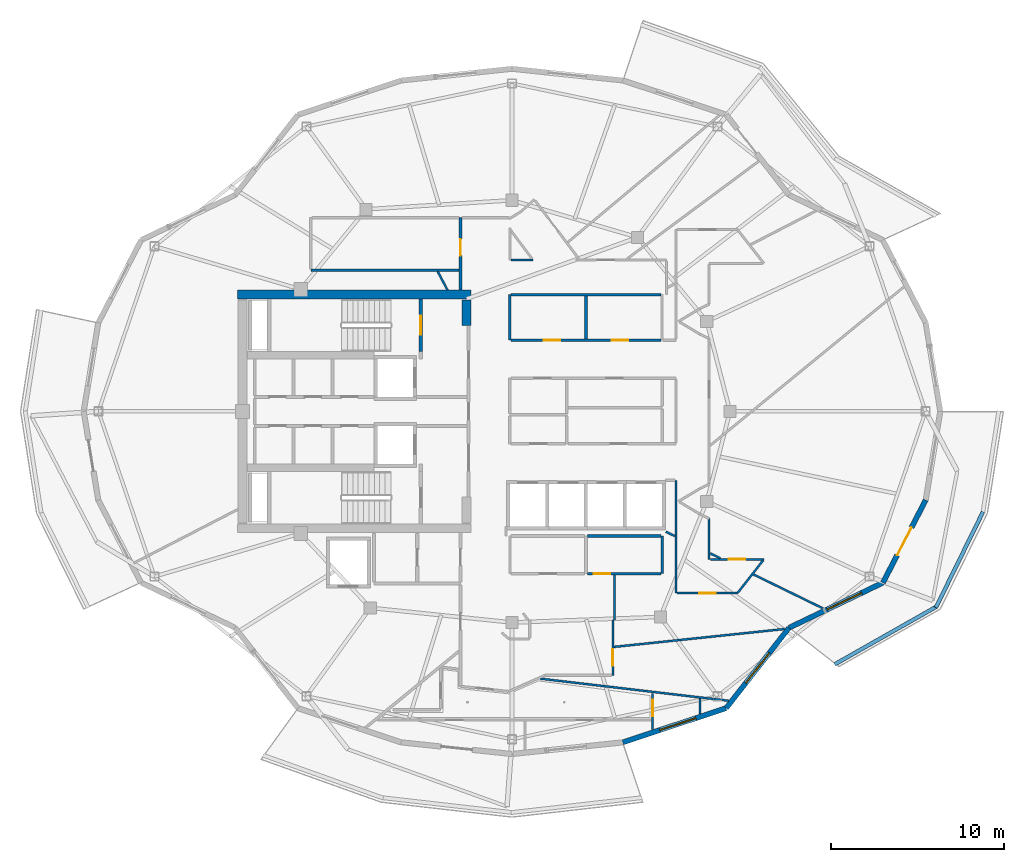
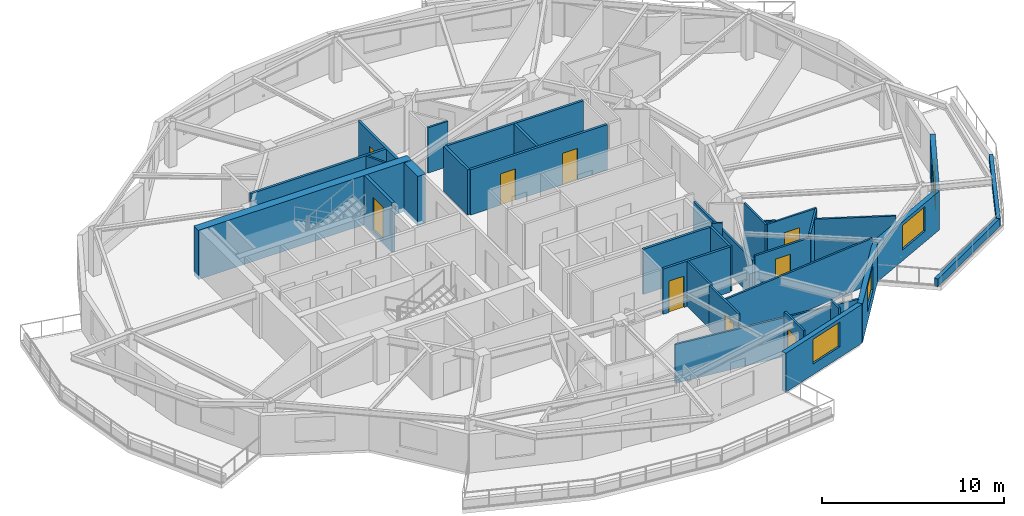
# One storey, part 5 of 14: 34 walls, 10 doors, 3 windows, 13 openings.
"""IFC4 building model written with IfcOpenShell, lengths in metres."""

from ifc_helpers import new_model, si_unit, direction, frame, frame_2d, origin, place, context, subcontext, project, spatial, rectangle, extrude, material, layer, layer_set, type_object, element, fill, save


model = new_model("IFC4")

# Units and contexts
model_context = context("Model", 3, precision=1e-05, world=origin(), true_north=direction((0.0, 1.0)))
body_context = subcontext(model_context, "Body", "Model", "MODEL_VIEW")
ifc_project = project(units=[si_unit("LENGTHUNIT", "METRE"), si_unit("AREAUNIT", "SQUARE_METRE"), si_unit("VOLUMEUNIT", "CUBIC_METRE"), si_unit("PLANEANGLEUNIT", "RADIAN"), si_unit("MASSUNIT", "GRAM", prefix="KILO")], contexts=[model_context])

# Site, building, storey
site_placement = place(None, origin())
site = spatial("IfcSite", under=ifc_project, at=site_placement, CompositionType="ELEMENT")
building_placement = place(site_placement, origin())
building = spatial("IfcBuilding", under=site, at=building_placement, Name="Kolvaren Gate Tower and Convention Centre", CompositionType="ELEMENT")
storey_placement = place(building_placement, frame((0.0, 0.0, 216.199951171875)))
storey = spatial("IfcBuildingStorey", under=building, at=storey_placement, Name="L57", CompositionType="ELEMENT", Elevation=216.199951171875)

# Walls
ifc_material_1 = material(Name="Fire-Rated Acoustic Gypsum Stud Partition", Category="gypsum")
ifc_layer_1 = layer(ifc_material_1, 0.1201171875)
ifc_layer_set_1 = layer_set([ifc_layer_1], Name="Fire-Rated Acoustic Gypsum Stud Partition")
wall_type_1 = type_object("IfcWallType", Name="ARCH-WL-PART-120", PredefinedType="PARTITIONING", material=ifc_layer_set_1)
wall_1_placement = place(storey_placement, frame((30.06201171875, 35.75, 0.0), z_axis=(0.0, 0.0, 1.0), x_axis=(1.0, 0.0, 0.0)))
element("IfcWall", 1, at=wall_1_placement, inside=storey, type_object=wall_type_1, Name="Interior Partition WL-L57-INT-040", PredefinedType="PARTITIONING", context=body_context, shape_type="SweptSolid", body=[
    extrude(rectangle(XDim=1.27490234375, YDim=0.1201171875, at=frame_2d((0.637451171875, 0.0))), origin(), (0.0, 0.0, 1.0), 3.030029296875),
])
wall_2_placement = place(storey_placement, frame((39.60009765625, 16.5, 0.0), z_axis=(0.0, 0.0, 1.0), x_axis=(0.0, 1.0, 0.0)))
element("IfcWall", 2, at=wall_2_placement, inside=storey, type_object=wall_type_1, Name="Interior Partition WL-L57-INT-043", PredefinedType="PARTITIONING", context=body_context, shape_type="SweptSolid", body=[
    extrude(rectangle(XDim=6.52001953125, YDim=0.1201171875, at=frame_2d((3.260009765625, 0.0))), origin(), (0.0, 0.0, 1.0), 2.47802734375),
])
wall_3_placement = place(storey_placement, frame((41.52001953125, 18.449951171875, 0.0), z_axis=(0.0, 0.0, 1.0), x_axis=(0.0, 1.0, 0.0)))
element("IfcWall", 3, at=wall_3_placement, inside=storey, type_object=wall_type_1, Name="Interior Partition WL-L57-INT-049", PredefinedType="PARTITIONING", context=body_context, shape_type="SweptSolid", body=[
    extrude(rectangle(XDim=2.35693359375, YDim=0.1201171875, at=frame_2d((1.178466796875, 0.0))), origin(), (0.0, 0.0, 1.0), 3.030029296875),
])

# Wall, opening, door
wall_4_placement = place(storey_placement, frame((41.58203125, 18.449951171875, 0.0), z_axis=(0.0, 0.0, 1.0), x_axis=(1.0, 0.0, 0.0)))
wall_4 = element("IfcWall", 4, at=wall_4_placement, inside=storey, type_object=wall_type_1, Name="Interior Partition WL-L57-INT-060", PredefinedType="PARTITIONING", context=body_context, shape_type="SweptSolid", body=[
    extrude(rectangle(XDim=3.10205078125, YDim=0.1201171875, at=frame_2d((1.551025390625, 0.0))), origin(), (0.0, 0.0, 1.0), 3.030029296875),
])
opening_1_placement = place(wall_4_placement, frame((1.075927734375, 0.0, 0.0)))
opening_1 = element("IfcOpeningElement", 5, at=opening_1_placement, cuts=wall_4, Name="Opening DR-01", PredefinedType="OPENING", context=body_context, shape_type="SweptSolid", body=[
    extrude(rectangle(XDim=0.949951171875, YDim=2.10009765625, at=frame_2d((0.47509765625, 1.050048828125))), frame((0.0, 0.070068359375, 0.0), z_axis=(0.0, -1.0, 0.0), x_axis=(1.0, 0.0, 0.0)), (0.0, 0.0, 1.0), 0.14013671875),
])
ifc_material_2 = material(Name="Painted Architectural Steelwork ASTM A500 Grade C 345 MPa", Category="steel")
door_type_1 = type_object("IfcDoorType", Name="ARCH-DR-RISER-950", OperationType="SINGLE_SWING_RIGHT", PredefinedType="DOOR", material=ifc_material_2)
door_1_placement = place(opening_1_placement, origin())
door_1 = element("IfcDoor", 6, at=door_1_placement, inside=storey, type_object=door_type_1, Name="Resident Private Study and Home Office Door", OperationType="SINGLE_SWING_LEFT", OverallHeight=2.10009765625, OverallWidth=0.949951171875, PredefinedType="DOOR", context=body_context, shape_type="SweptSolid", body=[
    extrude(rectangle(XDim=0.949951171875, YDim=2.10009765625, at=frame_2d((0.47509765625, 1.050048828125))), frame((0.0, 0.02490234375, 0.0), z_axis=(0.0, -1.0, 0.0), x_axis=(1.0, 0.0, 0.0)), (0.0, 0.0, 1.0), 0.050048828125),
])
fill(opening_1, door_1)

# Wall
wall_5_placement = place(storey_placement, frame((43.156982421875, 16.5, 0.0), z_axis=(0.0, 0.0, 1.0), x_axis=(0.616566276607, 0.787303008092, 0.0)))
element("IfcWall", 7, at=wall_5_placement, inside=storey, type_object=wall_type_1, Name="Interior Partition WL-L57-INT-061", PredefinedType="PARTITIONING", context=body_context, shape_type="SweptSolid", body=[
    extrude(rectangle(XDim=2.39794921875, YDim=0.1201171875, at=frame_2d((1.198974609375, 0.0))), origin(), (0.0, 0.0, 1.0), 3.030029296875),
])

# Wall, opening, door
wall_6_placement = place(storey_placement, frame((39.662109375, 16.5, 0.0), z_axis=(0.0, 0.0, 1.0), x_axis=(1.0, 0.0, 0.0)))
wall_6 = element("IfcWall", 8, at=wall_6_placement, inside=storey, type_object=wall_type_1, Name="Interior Partition WL-L57-INT-062", PredefinedType="PARTITIONING", context=body_context, shape_type="SweptSolid", body=[
    extrude(rectangle(XDim=3.494873046875, YDim=0.1201171875, at=frame_2d((1.74755859375, 0.0))), origin(), (0.0, 0.0, 1.0), 2.77001953125),
])
opening_2_placement = place(wall_6_placement, frame((1.2724609375, 0.0, 0.0)))
opening_2 = element("IfcOpeningElement", 9, at=opening_2_placement, cuts=wall_6, Name="Opening DR-01", PredefinedType="OPENING", context=body_context, shape_type="SweptSolid", body=[
    extrude(rectangle(XDim=0.949951171875, YDim=2.10009765625, at=frame_2d((0.47509765625, 1.050048828125))), frame((0.0, 0.070068359375, 0.0), z_axis=(0.0, -1.0, 0.0), x_axis=(1.0, 0.0, 0.0)), (0.0, 0.0, 1.0), 0.14013671875),
])
door_2_placement = place(opening_2_placement, origin())
door_2 = element("IfcDoor", 10, at=door_2_placement, inside=storey, type_object=door_type_1, Name="Resident Quiet Study Office Door", OperationType="SINGLE_SWING_RIGHT", OverallHeight=2.10009765625, OverallWidth=0.949951171875, PredefinedType="DOOR", context=body_context, shape_type="SweptSolid", body=[
    extrude(rectangle(XDim=0.949951171875, YDim=2.10009765625, at=frame_2d((0.47509765625, 1.050048828125))), frame((0.0, 0.02490234375, 0.0), z_axis=(0.0, -1.0, 0.0), x_axis=(1.0, 0.0, 0.0)), (0.0, 0.0, 1.0), 0.050048828125),
])
fill(opening_2, door_2)

# Wall
wall_7_placement = place(storey_placement, frame((36.050048828125, 14.949951171875, 0.0), z_axis=(0.0, 0.0, 1.0), x_axis=(0.0, 1.0, 0.0)))
element("IfcWall", 11, at=wall_7_placement, inside=storey, type_object=wall_type_1, Name="Interior Partition WL-L57-INT-065", PredefinedType="PARTITIONING", context=body_context, shape_type="SweptSolid", body=[
    extrude(rectangle(XDim=2.593017578125, YDim=0.1201171875, at=frame_2d((1.29638671875, 0.0))), origin(), (0.0, 0.0, 1.0), 3.030029296875),
])

# Wall, opening, door
wall_8_placement = place(storey_placement, frame((35.949951171875, 11.75, 0.0), z_axis=(0.0, 0.0, 1.0), x_axis=(0.0, 1.0, 0.0)))
wall_8 = element("IfcWall", 12, at=wall_8_placement, inside=storey, type_object=wall_type_1, Name="Interior Partition WL-L57-INT-066", PredefinedType="PARTITIONING", context=body_context, shape_type="SweptSolid", body=[
    extrude(rectangle(XDim=3.199951171875, YDim=0.1201171875, at=frame_2d((1.60009765625, 0.0))), origin(), (0.0, 0.0, 1.0), 3.030029296875),
])
opening_3_placement = place(wall_8_placement, frame((0.546630859375, 0.0, 0.0)))
opening_3 = element("IfcOpeningElement", 13, at=opening_3_placement, cuts=wall_8, Name="Opening DR-01", PredefinedType="OPENING", context=body_context, shape_type="SweptSolid", body=[
    extrude(rectangle(XDim=0.949951171875, YDim=2.10009765625, at=frame_2d((0.47509765625, 1.050048828125))), frame((0.0, 0.070068359375, 0.0), z_axis=(0.0, -1.0, 0.0), x_axis=(1.0, 0.0, 0.0)), (0.0, 0.0, 1.0), 0.14013671875),
])
door_3_placement = place(opening_3_placement, origin())
door_3 = element("IfcDoor", 14, at=door_3_placement, inside=storey, type_object=door_type_1, Name="Resident Private Workroom Door", OperationType="SINGLE_SWING_LEFT", OverallHeight=2.10009765625, OverallWidth=0.949951171875, PredefinedType="DOOR", context=body_context, shape_type="SweptSolid", body=[
    extrude(rectangle(XDim=0.949951171875, YDim=2.10009765625, at=frame_2d((0.47509765625, 1.050048828125))), frame((0.0, 0.02490234375, 0.0), z_axis=(0.0, -1.0, 0.0), x_axis=(1.0, 0.0, 0.0)), (0.0, 0.0, 1.0), 0.050048828125),
])
fill(opening_3, door_3)

# Wall
wall_9_placement = place(storey_placement, frame((31.747802734375, 11.55615234375, 0.0), z_axis=(0.0, 0.0, 1.0), x_axis=(0.993180507835, -0.116586786801, 0.0)))
element("IfcWall", 15, at=wall_9_placement, inside=storey, type_object=wall_type_1, Name="Interior Partition WL-L57-INT-083", PredefinedType="PARTITIONING", context=body_context, shape_type="SweptSolid", body=[
    extrude(rectangle(XDim=10.966552734375, YDim=0.1201171875, at=frame_2d((5.4833984375, 0.0))), origin(), (0.0, 0.0, 1.0), 2.60498046875),
])

# Wall, opening, door
wall_10_placement = place(storey_placement, frame((38.25, 8.6044921875, 0.0), z_axis=(0.0, 0.0, 1.0), x_axis=(0.0, 1.0, 0.0)))
wall_10 = element("IfcWall", 16, at=wall_10_placement, inside=storey, type_object=wall_type_1, Name="Interior Partition WL-L57-INT-084", PredefinedType="PARTITIONING", context=body_context, shape_type="SweptSolid", body=[
    extrude(rectangle(XDim=2.095458984375, YDim=0.1201171875, at=frame_2d((1.0478515625, 0.0))), origin(), (0.0, 0.0, 1.0), 3.030029296875),
])
opening_4_placement = place(wall_10_placement, frame((0.78759765625, 0.0, 0.0)))
opening_4 = element("IfcOpeningElement", 17, at=opening_4_placement, cuts=wall_10, Name="Opening DI-01", PredefinedType="OPENING", context=body_context, shape_type="SweptSolid", body=[
    extrude(rectangle(XDim=0.949951171875, YDim=2.10009765625, at=frame_2d((0.47509765625, 1.050048828125))), frame((0.0, 0.070068359375, 0.0), z_axis=(0.0, -1.0, 0.0), x_axis=(1.0, 0.0, 0.0)), (0.0, 0.0, 1.0), 0.14013671875),
])
ifc_material_3 = material(Name="FSC Andean Oak Engineered Veneer Door Leaf", Category="wood")
door_type_2 = type_object("IfcDoorType", Name="ARCH-DR-INT-950", OperationType="SINGLE_SWING_LEFT", PredefinedType="DOOR", material=ifc_material_3)
door_4_placement = place(opening_4_placement, origin())
door_4 = element("IfcDoor", 18, at=door_4_placement, inside=storey, type_object=door_type_2, Name="Apartment Fitted Kitchen (APT-L57-01) Door", OperationType="SINGLE_SWING_RIGHT", OverallHeight=2.10009765625, OverallWidth=0.949951171875, PredefinedType="DOOR", context=body_context, shape_type="SweptSolid", body=[
    extrude(rectangle(XDim=0.949951171875, YDim=2.10009765625, at=frame_2d((0.47509765625, 1.050048828125))), frame((0.0, 0.02490234375, 0.0), z_axis=(0.0, -1.0, 0.0), x_axis=(1.0, 0.0, 0.0)), (0.0, 0.0, 1.0), 0.050048828125),
])
fill(opening_4, door_4)

# Walls
wall_11_placement = place(storey_placement, frame((41.0, 9.515869140625, 0.0), z_axis=(0.0, 0.0, 1.0), x_axis=(0.0, 1.0, 0.0)))
element("IfcWall", 19, at=wall_11_placement, inside=storey, type_object=wall_type_1, Name="Interior Partition WL-L57-INT-086", PredefinedType="PARTITIONING", context=body_context, shape_type="SweptSolid", body=[
    extrude(rectangle(XDim=0.891845703125, YDim=0.1201171875, at=frame_2d((0.44580078125, 0.0))), origin(), (0.0, 0.0, 1.0), 3.030029296875),
])
wall_12_placement = place(storey_placement, frame((36.011962890625, 13.388427734375, 0.0), z_axis=(0.0, 0.0, 1.0), x_axis=(0.994530215, 0.104449276931, 0.0)))
element("IfcWall", 20, at=wall_12_placement, inside=storey, type_object=wall_type_1, Name="Interior Partition WL-L57-INT-088", PredefinedType="PARTITIONING", context=body_context, shape_type="SweptSolid", body=[
    extrude(rectangle(XDim=9.92919921875, YDim=0.1201171875, at=frame_2d((4.964599609375, 0.0))), origin(), (0.0, 0.0, 1.0), 3.030029296875),
])
wall_13_placement = place(storey_placement, frame((39.02001953125, 20.0439453125, 0.0), z_axis=(0.0, 0.0, 1.0), x_axis=(0.898788798226, -0.438381906769, 0.0)))
element("IfcWall", 21, at=wall_13_placement, inside=storey, type_object=wall_type_1, Name="Interior Partition WL-L57-INT-089", PredefinedType="PARTITIONING", context=body_context, shape_type="SweptSolid", body=[
    extrude(rectangle(XDim=0.576416015625, YDim=0.1201171875, at=frame_2d((0.2880859375, 0.0))), origin(), (0.0, 0.0, 1.0), 3.030029296875),
])
wall_14_placement = place(storey_placement, frame((41.58203125, 18.7939453125, 0.0), z_axis=(0.0, 0.0, 1.0), x_axis=(0.898713702737, -0.438535837204, 0.0)))
element("IfcWall", 22, at=wall_14_placement, inside=storey, type_object=wall_type_1, Name="Interior Partition WL-L57-INT-090", PredefinedType="PARTITIONING", context=body_context, shape_type="SweptSolid", body=[
    extrude(rectangle(XDim=0.64306640625, YDim=0.1201171875, at=frame_2d((0.321533203125, 0.0))), origin(), (0.0, 0.0, 1.0), 3.030029296875),
])
wall_15_placement = place(storey_placement, frame((44.078369140625, 17.575927734375, 0.0), z_axis=(0.0, 0.0, 1.0), x_axis=(0.898720286075, -0.438522345381, 0.0)))
element("IfcWall", 23, at=wall_15_placement, inside=storey, type_object=wall_type_1, Name="Interior Partition WL-L57-INT-091", PredefinedType="PARTITIONING", context=body_context, shape_type="SweptSolid", body=[
    extrude(rectangle(XDim=4.48291015625, YDim=0.1201171875, at=frame_2d((2.241455078125, 0.0))), origin(), (0.0, 0.0, 1.0), 3.030029296875),
])
wall_16_placement = place(storey_placement, frame((25.830810546875, 35.0830078125, 0.0), z_axis=(0.0, 0.0, 1.0), x_axis=(0.468630025993, -0.883394531757, 0.0)))
element("IfcWall", 24, at=wall_16_placement, inside=storey, type_object=wall_type_1, Name="Interior Partition WL-L57-INT-094", PredefinedType="PARTITIONING", context=body_context, shape_type="SweptSolid", body=[
    extrude(rectangle(XDim=1.2236328125, YDim=0.1201171875, at=frame_2d((0.61181640625, 0.0))), origin(), (0.0, 0.0, 1.0), 3.030029296875),
])
ifc_material_4 = material(Name="Piedmont Cream Honed Limestone Cladding", Category="masonry")
ifc_layer_2 = layer(ifc_material_4, 0.219970703125)
ifc_layer_set_2 = layer_set([ifc_layer_2], Name="Piedmont Cream Honed Limestone Cladding")
wall_type_2 = type_object("IfcWallType", Name="ARCH-WL-PLANTER-220", PredefinedType="PARAPET", material=ifc_layer_set_2)
wall_17_placement = place(storey_placement, frame((48.7763671875, 12.38330078125, 0.0), z_axis=(0.0, 0.0, 1.0), x_axis=(0.869860619267, 0.493297580623, 0.0)))
element("IfcWall", 25, at=wall_17_placement, inside=storey, type_object=wall_type_2, Name="Vertical-Forest Balcony Stone Planter Kerb PK-L57-4.1", PredefinedType="PARAPET", context=body_context, shape_type="SweptSolid", body=[
    extrude(rectangle(XDim=6.74267578125, YDim=0.219970703125, at=frame_2d((3.371337890625, 0.0))), origin(), (0.0, 0.0, 1.0), 0.52001953125),
])
wall_18_placement = place(storey_placement, frame((54.615966796875, 15.6533203125, 0.0), z_axis=(0.0, 0.0, 1.0), x_axis=(0.441640961804, 0.897191875162, 0.0)))
element("IfcWall", 26, at=wall_18_placement, inside=storey, type_object=wall_type_2, Name="Vertical-Forest Balcony Stone Planter Kerb PK-L57-4.2", PredefinedType="PARAPET", context=body_context, shape_type="SweptSolid", body=[
    extrude(rectangle(XDim=6.17822265625, YDim=0.219970703125, at=frame_2d((3.089111328125, 0.0))), origin(), (0.0, 0.0, 1.0), 0.52001953125),
])

# Wall, opening, window
ifc_layer_3 = layer(ifc_material_4, 0.300048828125)
ifc_layer_set_3 = layer_set([ifc_layer_3], Name="Piedmont Cream Honed Limestone Cladding")
wall_type_3 = type_object("IfcWallType", Name="ARCH-WL-STONE-300", PredefinedType="SOLIDWALL", material=ifc_layer_set_3)
wall_19_placement = place(storey_placement, frame((36.53076171875, 7.874755859375, 0.0), z_axis=(0.0, 0.0, 1.0), x_axis=(0.949240877604, 0.314550085495, 0.0)))
wall_19 = element("IfcWall", 27, at=wall_19_placement, inside=storey, type_object=wall_type_3, Name="Tower L57 Honed Stone Spandrel Wall EW-19", PredefinedType="SOLIDWALL", context=body_context, shape_type="SweptSolid", body=[
    extrude(rectangle(XDim=6.288330078125, YDim=0.300048828125, at=frame_2d((3.14404296875, 0.0))), origin(), (0.0, 0.0, 1.0), 2.60498046875),
])
opening_5_placement = place(wall_19_placement, frame((2.25, 0.0, 0.719970703125)))
opening_5 = element("IfcOpeningElement", 28, at=opening_5_placement, cuts=wall_19, Name="Opening W-03", PredefinedType="OPENING", context=body_context, shape_type="SweptSolid", body=[
    extrude(rectangle(XDim=2.199951171875, YDim=1.64990234375, at=frame_2d((1.10009765625, 0.824951171875))), frame((0.0, 0.159912109375, 0.0), z_axis=(0.0, -1.0, 0.0), x_axis=(1.0, 0.0, 0.0)), (0.0, 0.0, 1.0), 0.320068359375),
])
ifc_material_5 = material(Name="Low-E Triple Insulated Glazing Unit 44 mm", Category="glass")
window_type = type_object("IfcWindowType", Name="ARCH-WN-RES-2200", PartitioningType="SINGLE_PANEL", PredefinedType="WINDOW", material=ifc_material_5)
window_1_placement = place(opening_5_placement, origin())
window_1 = element("IfcWindow", 29, at=window_1_placement, inside=storey, type_object=window_type, Name="Tower L57 Punched Stone Facade Window W-19", OverallHeight=1.64990234375, OverallWidth=2.199951171875, PartitioningType="SINGLE_PANEL", PredefinedType="WINDOW", context=body_context, shape_type="SweptSolid", body=[
    extrude(rectangle(XDim=2.199951171875, YDim=1.64990234375, at=frame_2d((1.10009765625, 0.824951171875))), frame((0.0, 0.030029296875, 0.0), z_axis=(0.0, -1.0, 0.0), x_axis=(1.0, 0.0, 0.0)), (0.0, 0.0, 1.0), 0.06005859375),
])
fill(opening_5, window_1)

wall_20_placement = place(storey_placement, frame((42.5, 9.852783203125, 0.0), z_axis=(0.0, 0.0, 1.0), x_axis=(0.616450126935, 0.787393955401, 0.0)))
wall_20 = element("IfcWall", 30, at=wall_20_placement, inside=storey, type_object=wall_type_3, Name="Tower L57 Honed Stone Spandrel Wall EW-20", PredefinedType="SOLIDWALL", context=body_context, shape_type="SweptSolid", body=[
    extrude(rectangle(XDim=5.892822265625, YDim=0.300048828125, at=frame_2d((2.9462890625, 0.0))), origin(), (0.0, 0.0, 1.0), 2.60498046875),
])
opening_6_placement = place(wall_20_placement, frame((1.845947265625, 0.0, 0.719970703125)))
opening_6 = element("IfcOpeningElement", 31, at=opening_6_placement, cuts=wall_20, Name="Opening W-03", PredefinedType="OPENING", context=body_context, shape_type="SweptSolid", body=[
    extrude(rectangle(XDim=2.199951171875, YDim=1.64990234375, at=frame_2d((1.10009765625, 0.824951171875))), frame((0.0, 0.159912109375, 0.0), z_axis=(0.0, -1.0, 0.0), x_axis=(1.0, 0.0, 0.0)), (0.0, 0.0, 1.0), 0.320068359375),
])
window_2_placement = place(opening_6_placement, origin())
window_2 = element("IfcWindow", 32, at=window_2_placement, inside=storey, type_object=window_type, Name="Tower L57 Punched Stone Facade Window W-20", OverallHeight=1.64990234375, OverallWidth=2.199951171875, PartitioningType="SINGLE_PANEL", PredefinedType="WINDOW", context=body_context, shape_type="SweptSolid", body=[
    extrude(rectangle(XDim=2.199951171875, YDim=1.64990234375, at=frame_2d((1.10009765625, 0.824951171875))), frame((0.0, 0.030029296875, 0.0), z_axis=(0.0, -1.0, 0.0), x_axis=(1.0, 0.0, 0.0)), (0.0, 0.0, 1.0), 0.06005859375),
])
fill(opening_6, window_2)

wall_21_placement = place(storey_placement, frame((46.132568359375, 14.49267578125, 0.0), z_axis=(0.0, 0.0, 1.0), x_axis=(0.901348331142, 0.433094892545, 0.0)))
wall_21 = element("IfcWall", 33, at=wall_21_placement, inside=storey, type_object=wall_type_3, Name="Tower L57 Honed Stone Spandrel Wall EW-21", PredefinedType="SOLIDWALL", context=body_context, shape_type="SweptSolid", body=[
    extrude(rectangle(XDim=6.0205078125, YDim=0.300048828125, at=frame_2d((3.01025390625, 0.0))), origin(), (0.0, 0.0, 1.0), 2.60498046875),
])
opening_7_placement = place(wall_21_placement, frame((2.449951171875, 0.0, 0.719970703125)))
opening_7 = element("IfcOpeningElement", 34, at=opening_7_placement, cuts=wall_21, Name="Opening W-03", PredefinedType="OPENING", context=body_context, shape_type="SweptSolid", body=[
    extrude(rectangle(XDim=2.199951171875, YDim=1.64990234375, at=frame_2d((1.10009765625, 0.824951171875))), frame((0.0, 0.159912109375, 0.0), z_axis=(0.0, -1.0, 0.0), x_axis=(1.0, 0.0, 0.0)), (0.0, 0.0, 1.0), 0.320068359375),
])
window_3_placement = place(opening_7_placement, origin())
window_3 = element("IfcWindow", 35, at=window_3_placement, inside=storey, type_object=window_type, Name="Tower L57 Punched Stone Facade Window W-21", OverallHeight=1.64990234375, OverallWidth=2.199951171875, PartitioningType="SINGLE_PANEL", PredefinedType="WINDOW", context=body_context, shape_type="SweptSolid", body=[
    extrude(rectangle(XDim=2.199951171875, YDim=1.64990234375, at=frame_2d((1.10009765625, 0.824951171875))), frame((0.0, 0.030029296875, 0.0), z_axis=(0.0, -1.0, 0.0), x_axis=(1.0, 0.0, 0.0)), (0.0, 0.0, 1.0), 0.06005859375),
])
fill(opening_7, window_3)

# Wall, opening, door
wall_22_placement = place(storey_placement, frame((51.55908203125, 17.10009765625, 0.0), z_axis=(0.0, 0.0, 1.0), x_axis=(0.459808219482, 0.888018243786, 0.0)))
wall_22 = element("IfcWall", 36, at=wall_22_placement, inside=storey, type_object=wall_type_3, Name="Tower L57 Honed Stone Spandrel Wall EW-22", PredefinedType="SOLIDWALL", context=body_context, shape_type="SweptSolid", body=[
    extrude(rectangle(XDim=5.377685546875, YDim=0.300048828125, at=frame_2d((2.68896484375, 0.0))), origin(), (0.0, 0.0, 1.0), 2.60498046875),
])
opening_8_placement = place(wall_22_placement, frame((1.7890625, 0.0, 0.0)))
opening_8 = element("IfcOpeningElement", 37, at=opening_8_placement, cuts=wall_22, Name="Opening DB-01", PredefinedType="OPENING", context=body_context, shape_type="SweptSolid", body=[
    extrude(rectangle(XDim=1.800048828125, YDim=2.25, at=frame_2d((0.89990234375, 1.125))), frame((0.0, 0.159912109375, 0.0), z_axis=(0.0, -1.0, 0.0), x_axis=(1.0, 0.0, 0.0)), (0.0, 0.0, 1.0), 0.320068359375),
])
ifc_material_6 = material(Name="Anodized Architectural Aluminium Alloy 6063-T6", Category="aluminium")
door_type_3 = type_object("IfcDoorType", Name="ARCH-DR-BALC-1800", OperationType="SLIDING_TO_LEFT", PredefinedType="DOOR", material=ifc_material_6)
door_5_placement = place(opening_8_placement, frame((1.800048828125, 0.0, 0.0), z_axis=(0.0, 0.0, 1.0), x_axis=(-1.0, 0.0, 0.0)))
door_5 = element("IfcDoor", 38, at=door_5_placement, inside=storey, type_object=door_type_3, Name="Planted Sky Terrace Access Door DB-L57-22", OperationType="SLIDING_TO_LEFT", OverallHeight=2.25, OverallWidth=1.800048828125, PredefinedType="DOOR", context=body_context, shape_type="SweptSolid", body=[
    extrude(rectangle(XDim=1.800048828125, YDim=2.25, at=frame_2d((0.89990234375, 1.125))), frame((0.0, 0.02490234375, 0.0), z_axis=(0.0, -1.0, 0.0), x_axis=(1.0, 0.0, 0.0)), (0.0, 0.0, 1.0), 0.050048828125),
])
fill(opening_8, door_5)

ifc_material_7 = material(Name="Moisture-Resistant Cement-Board Acoustic Partition", Category="gypsum")
ifc_layer_4 = layer(ifc_material_7, 0.14990234375)
ifc_layer_set_4 = layer_set([ifc_layer_4], Name="Moisture-Resistant Cement-Board Acoustic Partition")
wall_type_4 = type_object("IfcWallType", Name="ARCH-WL-WET-150", PredefinedType="PARTITIONING", material=ifc_layer_set_4)
wall_23_placement = place(storey_placement, frame((27.14990234375, 34.001953125, 0.0), z_axis=(0.0, 0.0, 1.0), x_axis=(0.0, 1.0, 0.0)))
wall_23 = element("IfcWall", 39, at=wall_23_placement, inside=storey, type_object=wall_type_4, Name="Interior Partition WL-L57-INT-015", PredefinedType="PARTITIONING", context=body_context, shape_type="SweptSolid", body=[
    extrude(rectangle(XDim=4.197998046875, YDim=0.14990234375, at=frame_2d((2.09912109375, 0.0))), origin(), (0.0, 0.0, 1.0), 3.030029296875),
])
opening_9_placement = place(wall_23_placement, frame((1.998046875, 0.0, 0.0)))
opening_9 = element("IfcOpeningElement", 40, at=opening_9_placement, cuts=wall_23, Name="Opening DR-01", PredefinedType="OPENING", context=body_context, shape_type="SweptSolid", body=[
    extrude(rectangle(XDim=0.949951171875, YDim=2.10009765625, at=frame_2d((0.47509765625, 1.050048828125))), frame((0.0, 0.0849609375, 0.0), z_axis=(0.0, -1.0, 0.0), x_axis=(1.0, 0.0, 0.0)), (0.0, 0.0, 1.0), 0.169921875),
])
door_6_placement = place(opening_9_placement, origin())
door_6 = element("IfcDoor", 41, at=door_6_placement, inside=storey, type_object=door_type_1, Name="Reclaimed North Resident Store Door", OperationType="SINGLE_SWING_RIGHT", OverallHeight=2.10009765625, OverallWidth=0.949951171875, PredefinedType="DOOR", context=body_context, shape_type="SweptSolid", body=[
    extrude(rectangle(XDim=0.949951171875, YDim=2.10009765625, at=frame_2d((0.47509765625, 1.050048828125))), frame((0.0, 0.02490234375, 0.0), z_axis=(0.0, -1.0, 0.0), x_axis=(1.0, 0.0, 0.0)), (0.0, 0.0, 1.0), 0.050048828125),
])
fill(opening_9, door_6)

# Walls
wall_24_placement = place(storey_placement, frame((30.0, 31.1201171875, 0.0), z_axis=(0.0, 0.0, 1.0), x_axis=(0.0, 1.0, 0.0)))
element("IfcWall", 42, at=wall_24_placement, inside=storey, type_object=wall_type_4, Name="Interior Partition WL-L57-INT-019", PredefinedType="PARTITIONING", context=body_context, shape_type="SweptSolid", body=[
    extrude(rectangle(XDim=2.6298828125, YDim=0.14990234375, at=frame_2d((1.31494140625, 0.0))), origin(), (0.0, 0.0, 1.0), 3.030029296875),
])
wall_25_placement = place(storey_placement, frame((38.800048828125, 17.6201171875, 0.0), z_axis=(0.0, 0.0, 1.0), x_axis=(0.0, 1.0, 0.0)))
element("IfcWall", 43, at=wall_25_placement, inside=storey, type_object=wall_type_4, Name="Interior Partition WL-L57-INT-025", PredefinedType="PARTITIONING", context=body_context, shape_type="SweptSolid", body=[
    extrude(rectangle(XDim=2.179931640625, YDim=0.14990234375, at=frame_2d((1.08984375, 0.0))), origin(), (0.0, 0.0, 1.0), 3.030029296875),
])

# Wall, openings, doors
wall_26_placement = place(storey_placement, frame((30.076904296875, 31.1201171875, 0.0), z_axis=(0.0, 0.0, 1.0), x_axis=(1.0, 0.0, 0.0)))
wall_26 = element("IfcWall", 44, at=wall_26_placement, inside=storey, type_object=wall_type_4, Name="Interior Partition WL-L57-INT-028", PredefinedType="PARTITIONING", context=body_context, shape_type="SweptSolid", body=[
    extrude(rectangle(XDim=8.6611328125, YDim=0.14990234375, at=frame_2d((4.33056640625, 0.0))), origin(), (0.0, 0.0, 1.0), 3.030029296875),
])
opening_10_placement = place(wall_26_placement, frame((1.8916015625, 0.0, 0.0)))
opening_10 = element("IfcOpeningElement", 45, at=opening_10_placement, cuts=wall_26, Name="Opening DR-01", PredefinedType="OPENING", context=body_context, shape_type="SweptSolid", body=[
    extrude(rectangle(XDim=0.949951171875, YDim=2.10009765625, at=frame_2d((0.47509765625, 1.050048828125))), frame((0.0, 0.0849609375, 0.0), z_axis=(0.0, -1.0, 0.0), x_axis=(1.0, 0.0, 0.0)), (0.0, 0.0, 1.0), 0.169921875),
])
opening_11_placement = place(wall_26_placement, frame((5.81201171875, 0.0, 0.0)))
opening_11 = element("IfcOpeningElement", 46, at=opening_11_placement, cuts=wall_26, Name="Opening DR-01", PredefinedType="OPENING", context=body_context, shape_type="SweptSolid", body=[
    extrude(rectangle(XDim=0.949951171875, YDim=2.10009765625, at=frame_2d((0.47509765625, 1.050048828125))), frame((0.0, 0.0849609375, 0.0), z_axis=(0.0, -1.0, 0.0), x_axis=(1.0, 0.0, 0.0)), (0.0, 0.0, 1.0), 0.169921875),
])
door_7_placement = place(opening_10_placement, origin())
door_7 = element("IfcDoor", 47, at=door_7_placement, inside=storey, type_object=door_type_1, Name="Valet and Linen Store Door", OperationType="SINGLE_SWING_RIGHT", OverallHeight=2.10009765625, OverallWidth=0.949951171875, PredefinedType="DOOR", context=body_context, shape_type="SweptSolid", body=[
    extrude(rectangle(XDim=0.949951171875, YDim=2.10009765625, at=frame_2d((0.47509765625, 1.050048828125))), frame((0.0, 0.02490234375, 0.0), z_axis=(0.0, -1.0, 0.0), x_axis=(1.0, 0.0, 0.0)), (0.0, 0.0, 1.0), 0.050048828125),
])
fill(opening_10, door_7)
door_8_placement = place(opening_11_placement, origin())
door_8 = element("IfcDoor", 48, at=door_8_placement, inside=storey, type_object=door_type_1, Name="Ice and Beverage Pantry Door", OperationType="SINGLE_SWING_LEFT", OverallHeight=2.10009765625, OverallWidth=0.949951171875, PredefinedType="DOOR", context=body_context, shape_type="SweptSolid", body=[
    extrude(rectangle(XDim=0.949951171875, YDim=2.10009765625, at=frame_2d((0.47509765625, 1.050048828125))), frame((0.0, 0.02490234375, 0.0), z_axis=(0.0, -1.0, 0.0), x_axis=(1.0, 0.0, 0.0)), (0.0, 0.0, 1.0), 0.050048828125),
])
fill(opening_11, door_8)

# Walls
wall_27_placement = place(storey_placement, frame((30.076904296875, 33.75, 0.0), z_axis=(0.0, 0.0, 1.0), x_axis=(1.0, 0.0, 0.0)))
element("IfcWall", 49, at=wall_27_placement, inside=storey, type_object=wall_type_4, Name="Interior Partition WL-L57-INT-029", PredefinedType="PARTITIONING", context=body_context, shape_type="SweptSolid", body=[
    extrude(rectangle(XDim=8.6611328125, YDim=0.14990234375, at=frame_2d((4.33056640625, 0.0))), origin(), (0.0, 0.0, 1.0), 3.030029296875),
])
wall_28_placement = place(storey_placement, frame((34.39990234375, 31.197021484375, 0.0), z_axis=(0.0, 0.0, 1.0), x_axis=(0.0, 1.0, 0.0)))
element("IfcWall", 50, at=wall_28_placement, inside=storey, type_object=wall_type_4, Name="Interior Partition WL-L57-INT-031", PredefinedType="PARTITIONING", context=body_context, shape_type="SweptSolid", body=[
    extrude(rectangle(XDim=2.47607421875, YDim=0.14990234375, at=frame_2d((1.238037109375, 0.0))), origin(), (0.0, 0.0, 1.0), 3.030029296875),
])

# Wall, opening, door
wall_29_placement = place(storey_placement, frame((34.47705078125, 17.6201171875, 0.0), z_axis=(0.0, 0.0, 1.0), x_axis=(1.0, 0.0, 0.0)))
wall_29 = element("IfcWall", 51, at=wall_29_placement, inside=storey, type_object=wall_type_4, Name="Interior Partition WL-L57-INT-032 (2)", PredefinedType="PARTITIONING", context=body_context, shape_type="SweptSolid", body=[
    extrude(rectangle(XDim=4.245849609375, YDim=0.14990234375, at=frame_2d((2.123046875, 0.0))), origin(), (0.0, 0.0, 1.0), 3.030029296875),
])
opening_12_placement = place(wall_29_placement, frame((0.37646484375, 0.0, 0.0)))
opening_12 = element("IfcOpeningElement", 52, at=opening_12_placement, cuts=wall_29, Name="Opening DR-01", PredefinedType="OPENING", context=body_context, shape_type="SweptSolid", body=[
    extrude(rectangle(XDim=0.949951171875, YDim=2.10009765625, at=frame_2d((0.47509765625, 1.050048828125))), frame((0.0, 0.0849609375, 0.0), z_axis=(0.0, -1.0, 0.0), x_axis=(1.0, 0.0, 0.0)), (0.0, 0.0, 1.0), 0.169921875),
])
door_9_placement = place(opening_12_placement, origin())
door_9 = element("IfcDoor", 53, at=door_9_placement, inside=storey, type_object=door_type_1, Name="Parcel Cold Store Door", OperationType="SINGLE_SWING_LEFT", OverallHeight=2.10009765625, OverallWidth=0.949951171875, PredefinedType="DOOR", context=body_context, shape_type="SweptSolid", body=[
    extrude(rectangle(XDim=0.949951171875, YDim=2.10009765625, at=frame_2d((0.47509765625, 1.050048828125))), frame((0.0, 0.02490234375, 0.0), z_axis=(0.0, -1.0, 0.0), x_axis=(1.0, 0.0, 0.0)), (0.0, 0.0, 1.0), 0.050048828125),
])
fill(opening_12, door_9)

# Walls
wall_30_placement = place(storey_placement, frame((34.47705078125, 19.800048828125, 0.0), z_axis=(0.0, 0.0, 1.0), x_axis=(1.0, 0.0, 0.0)))
element("IfcWall", 54, at=wall_30_placement, inside=storey, type_object=wall_type_4, Name="Interior Partition WL-L57-INT-033 (2)", PredefinedType="PARTITIONING", context=body_context, shape_type="SweptSolid", body=[
    extrude(rectangle(XDim=4.245849609375, YDim=0.14990234375, at=frame_2d((2.123046875, 0.0))), origin(), (0.0, 0.0, 1.0), 3.030029296875),
])
wall_31_placement = place(storey_placement, frame((18.5, 35.159912109375, 0.0), z_axis=(0.0, 0.0, 1.0), x_axis=(1.0, 0.0, 0.0)))
element("IfcWall", 55, at=wall_31_placement, inside=storey, type_object=wall_type_4, Name="Interior Partition WL-L57-INT-034", PredefinedType="PARTITIONING", context=body_context, shape_type="SweptSolid", body=[
    extrude(rectangle(XDim=8.572998046875, YDim=0.14990234375, at=frame_2d((4.28662109375, 0.0))), origin(), (0.0, 0.0, 1.0), 3.030029296875),
])
ifc_material_8 = material(Name="Concrete C50/60", Category="concrete")
ifc_layer_5 = layer(ifc_material_8, 0.5)
ifc_layer_set_5 = layer_set([ifc_layer_5], Name="Concrete C50/60")
wall_type_5 = type_object("IfcWallType", Name="STR-WL-CORE-500", PredefinedType="SHEAR", material=ifc_layer_set_5)
wall_32_placement = place(storey_placement, frame((14.25, 33.75, -0.27001953125), z_axis=(0.0, 0.0, 1.0), x_axis=(1.0, 0.0, 0.0)))
element("IfcWall", 56, at=wall_32_placement, inside=storey, type_object=wall_type_5, Name="Tower L57 Offset Core Shear Wall N", PredefinedType="SHEAR", context=body_context, shape_type="SweptSolid", body=[
    extrude(rectangle(XDim=13.5, YDim=0.5, at=frame_2d((6.75, 0.0))), origin(), (0.0, 0.0, 1.0), 3.300048828125),
])
wall_33_placement = place(storey_placement, frame((27.5, 31.949951171875, -0.27001953125), z_axis=(0.0, 0.0, 1.0), x_axis=(0.0, 1.0, 0.0)))
element("IfcWall", 57, at=wall_33_placement, inside=storey, type_object=wall_type_5, Name="Tower L57 Offset Core Shear Wall EN", PredefinedType="SHEAR", context=body_context, shape_type="SweptSolid", body=[
    extrude(rectangle(XDim=1.5, YDim=0.5, at=frame_2d((0.75, 0.0))), origin(), (0.0, 0.0, 1.0), 3.300048828125),
])

# Wall, opening, door
ifc_layer_6 = layer(ifc_material_8, 0.199951171875)
ifc_layer_set_6 = layer_set([ifc_layer_6], Name="Concrete C50/60")
wall_type_6 = type_object("IfcWallType", Name="STR-WL-SHAFT-200", PredefinedType="SHEAR", material=ifc_layer_set_6)
wall_34_placement = place(storey_placement, frame((24.85009765625, 30.4599609375, -0.27001953125), z_axis=(0.0, 0.0, 1.0), x_axis=(0.0, 1.0, 0.0)))
wall_34 = element("IfcWall", 58, at=wall_34_placement, inside=storey, type_object=wall_type_6, Name="Tower North Exit Stair ST-T1 L57 Structural Shear Enclosure Wall NEAR", PredefinedType="SHEAR", context=body_context, shape_type="SweptSolid", body=[
    extrude(rectangle(XDim=3.0380859375, YDim=0.199951171875, at=frame_2d((1.51904296875, 0.0))), origin(), (0.0, 0.0, 1.0), 3.300048828125),
])
opening_13_placement = place(wall_34_placement, frame((0.968994140625, 0.0, 0.27001953125)))
opening_13 = element("IfcOpeningElement", 59, at=opening_13_placement, cuts=wall_34, Name="Opening DS-01", PredefinedType="OPENING", context=body_context, shape_type="SweptSolid", body=[
    extrude(rectangle(XDim=1.10009765625, YDim=2.14990234375, at=frame_2d((0.550048828125, 1.074951171875))), frame((0.0, 0.10986328125, 0.0), z_axis=(0.0, -1.0, 0.0), x_axis=(1.0, 0.0, 0.0)), (0.0, 0.0, 1.0), 0.219970703125),
])
door_type_4 = type_object("IfcDoorType", Name="ARCH-DR-STAIR-1100", OperationType="SINGLE_SWING_LEFT", PredefinedType="DOOR", material=ifc_material_2)
door_10_placement = place(opening_13_placement, origin())
door_10 = element("IfcDoor", 60, at=door_10_placement, inside=storey, type_object=door_type_4, Name="Tower North Exit Stair ST-T1 L57 Fire Exit Stair Door", OperationType="SINGLE_SWING_LEFT", OverallHeight=2.14990234375, OverallWidth=1.10009765625, PredefinedType="DOOR", context=body_context, shape_type="SweptSolid", body=[
    extrude(rectangle(XDim=1.10009765625, YDim=2.14990234375, at=frame_2d((0.550048828125, 1.074951171875))), frame((0.0, 0.02490234375, 0.0), z_axis=(0.0, -1.0, 0.0), x_axis=(1.0, 0.0, 0.0)), (0.0, 0.0, 1.0), 0.050048828125),
])
fill(opening_13, door_10)

save(model, "model.ifc")
